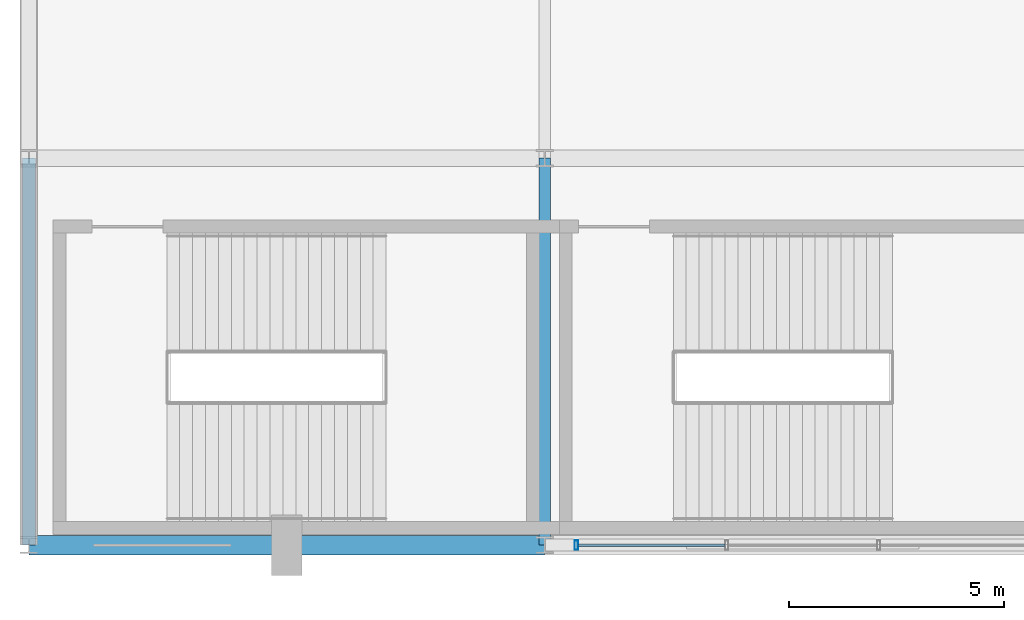
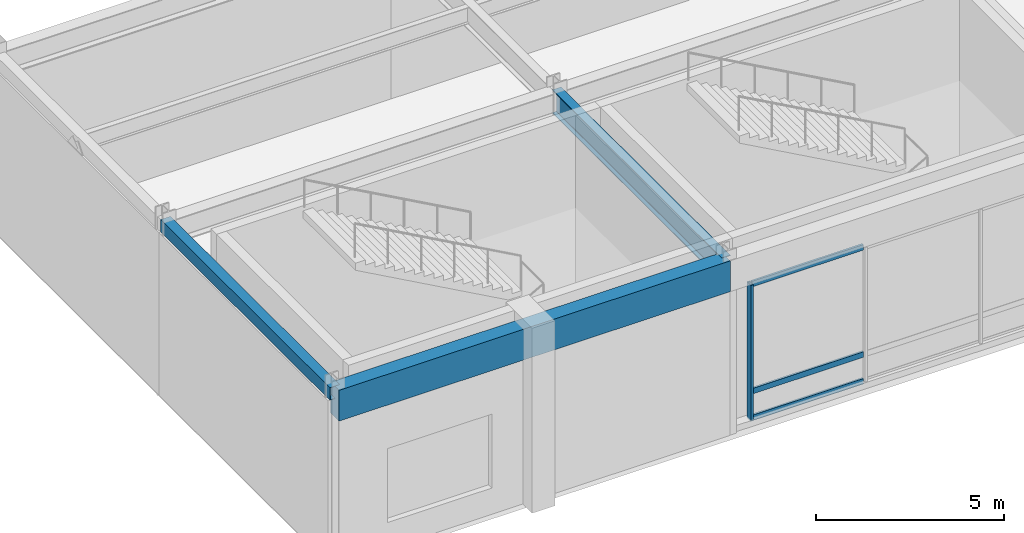
# One storey, part 14 of 105: 4 members, 3 beams, 1 element without a shape of its own.
"""IFC4 building model written with IfcOpenShell, lengths in metres."""

from ifc_helpers import new_model, si_unit, direction, frame, origin, origin_2d, place, context, subcontext, project, spatial, rectangle, hollow_rectangle, i_section, extrude, material, material_profile, profile_set, type_object, element, aggregate, save


model = new_model("IFC4")

# Units and contexts
model_context = context("Model", 3, precision=1e-05, world=origin(), true_north=direction((0.0, 1.0)))
body_context = subcontext(model_context, "Body", "Model", "MODEL_VIEW")
ifc_project = project(units=[si_unit("LENGTHUNIT", "METRE"), si_unit("AREAUNIT", "SQUARE_METRE"), si_unit("VOLUMEUNIT", "CUBIC_METRE"), si_unit("PLANEANGLEUNIT", "RADIAN"), si_unit("MASSUNIT", "GRAM", prefix="KILO")], contexts=[model_context])

# Site, building, storey
site_placement = place(None, origin())
site = spatial("IfcSite", under=ifc_project, at=site_placement, CompositionType="ELEMENT")
building_placement = place(site_placement, origin())
building = spatial("IfcBuilding", under=site, at=building_placement, Name="Kaldorvane Square Convention Centre", CompositionType="ELEMENT")
storey_placement = place(building_placement, frame((0.0, 0.0, 6.0)))
storey = spatial("IfcBuildingStorey", under=building, at=storey_placement, Name="L01", CompositionType="ELEMENT", Elevation=6.0)

# Beams
ifc_material_1 = material(Name="Steel ASTM A992 Gr. 50", Category="steel")
ifc_material_profile_1 = material_profile(ifc_material_1, i_section(OverallWidth=0.2666015625, OverallDepth=0.762298583984375, WebThickness=0.014404296875, FlangeThickness=0.0216064453125, FilletRadius=0.0164947509765625, at=origin_2d()), Name="W30X116")
ifc_profile_set_1 = profile_set([ifc_material_profile_1], Name="Steel ASTM A992 Gr. 50")
beam_type_1 = type_object("IfcBeamType", Name="BM-GR-W30X116", PredefinedType="BEAM", material=ifc_profile_set_1)
beam_1_placement = place(storey_placement, frame((12.0, 0.0, 5.2949066162109375), z_axis=(0.0, 1.0, 0.0), x_axis=(-1.0, 0.0, 0.0)))
element("IfcBeam", 1, at=beam_1_placement, inside=storey, type_object=beam_type_1, Name="Transverse Girder (L01)", PredefinedType="BEAM", context=body_context, shape_type="SweptSolid", body=[
    extrude(i_section(OverallWidth=0.2666015625, OverallDepth=0.762298583984375, WebThickness=0.014404296875, FlangeThickness=0.0216064453125, FilletRadius=0.0164947509765625, at=origin_2d()), origin(), (0.0, 0.0, 1.0), 9.0),
])
ifc_material_2 = material(Name="Steel ASTM A500 Gr. C", Category="steel")
ifc_material_profile_2 = material_profile(ifc_material_2, hollow_rectangle(XDim=0.3047943115234375, YDim=0.406402587890625, WallThickness=0.0117950439453125, at=origin_2d()), Name="HSS16X12X1/2")
ifc_profile_set_2 = profile_set([ifc_material_profile_2], Name="Steel ASTM A500 Gr. C")
beam_type_2 = type_object("IfcBeamType", Name="BM-SP-HSS16", PredefinedType="SPANDREL", material=ifc_profile_set_2)
beam_2_placement = place(storey_placement, frame((0.0, 0.0, 5.4727935791015625), z_axis=(0.0, 1.0, 0.0), x_axis=(-1.0, 0.0, 0.0)))
element("IfcBeam", 2, at=beam_2_placement, inside=storey, type_object=beam_type_2, Name="End Spandrel (L01)", PredefinedType="SPANDREL", context=body_context, shape_type="SweptSolid", body=[
    extrude(hollow_rectangle(XDim=0.3047943115234375, YDim=0.406402587890625, WallThickness=0.0117950439453125, at=origin_2d()), origin(), (0.0, 0.0, 1.0), 9.0),
])
ifc_material_3 = material(Name="Concrete f'c = 42 MPa (Normalweight)", Category="concrete")
ifc_material_profile_3 = material_profile(ifc_material_3, rectangle(XDim=0.4499969482421875, YDim=1.0, at=origin_2d()), Name="RCSP1000X450")
ifc_profile_set_3 = profile_set([ifc_material_profile_3], Name="Concrete f'c = 42 MPa (Normalweight)")
beam_type_3 = type_object("IfcBeamType", Name="BM-SP-RC1000", PredefinedType="SPANDREL", material=ifc_profile_set_3)
beam_3_placement = place(storey_placement, frame((0.0, 0.0, 5.175994873046875), z_axis=(1.0, 0.0, 0.0), x_axis=(0.0, 1.0, 0.0)))
element("IfcBeam", 3, at=beam_3_placement, inside=storey, type_object=beam_type_3, Name="Perimeter Spandrel (L01)", PredefinedType="SPANDREL", context=body_context, shape_type="SweptSolid", body=[
    extrude(rectangle(XDim=0.4499969482421875, YDim=1.0, at=origin_2d()), origin(), (0.0, 0.0, 1.0), 12.0),
])

# Curtain wall, members
ifc_material_4 = material(Name="Anodized Aluminum and Low-E Insulated Glazing", Category="aluminium")
curtain_wall_type = type_object("IfcCurtainWallType", Name="CW-UNI-P60-12", PredefinedType="USERDEFINED", material=ifc_material_4)
curtain_wall_placement = place(storey_placement, origin())
curtain_wall = element("IfcCurtainWall", 4, at=curtain_wall_placement, inside=storey, type_object=curtain_wall_type, Name="Curtain Wall CW-01 (L01)", ObjectType="UNITISED GLAZING", PredefinedType="USERDEFINED")
ifc_material_profile_4 = material_profile(ifc_material_4, hollow_rectangle(XDim=0.0749969482421875, YDim=0.220001220703125, WallThickness=0.003997802734375, at=origin_2d()), Name="CWM-220X75")
ifc_profile_set_4 = profile_set([ifc_material_profile_4], Name="Anodized Aluminum and Low-E Insulated Glazing")
member_type_1 = type_object("IfcMemberType", Name="CW-MUL-220", PredefinedType="MULLION", material=ifc_profile_set_4)
member_1_placement = place(storey_placement, frame((12.737503051757812, 0.0, 0.149993896484375), z_axis=(0.0, 0.0, 1.0), x_axis=(1.0, 0.0, 0.0)))
member_1 = element("IfcMember", 5, at=member_1_placement, type_object=member_type_1, Name="CW-01 mullion 1", PredefinedType="MULLION", context=body_context, shape_type="SweptSolid", body=[
    extrude(hollow_rectangle(XDim=0.0749969482421875, YDim=0.220001220703125, WallThickness=0.003997802734375, at=origin_2d()), origin(), (0.0, 0.0, 1.0), 4.410003662109375),
])
ifc_material_profile_5 = material_profile(ifc_material_4, hollow_rectangle(XDim=0.06500244140625, YDim=0.17999267578125, WallThickness=0.0034942626953125, at=origin_2d()), Name="CWT-180X65")
ifc_profile_set_5 = profile_set([ifc_material_profile_5], Name="Anodized Aluminum and Low-E Insulated Glazing")
member_type_2 = type_object("IfcMemberType", Name="CW-TRN-180", PredefinedType="USERDEFINED", material=ifc_profile_set_5)
member_2_placement = place(storey_placement, frame((12.774993896484375, 0.0, 0.1824951171875), z_axis=(1.0, 0.0, 0.0), x_axis=(0.0, 1.0, 0.0)))
member_2 = element("IfcMember", 6, at=member_2_placement, type_object=member_type_2, Name="CW-01 transom 1.1", ObjectType="TRANSOM", PredefinedType="USERDEFINED", context=body_context, shape_type="SweptSolid", body=[
    extrude(hollow_rectangle(XDim=0.06500244140625, YDim=0.17999267578125, WallThickness=0.0034942626953125, at=origin_2d()), origin(), (0.0, 0.0, 1.0), 3.42083740234375),
])
member_3_placement = place(storey_placement, frame((12.774993896484375, 0.0, 1.0500030517578125), z_axis=(1.0, 0.0, 0.0), x_axis=(0.0, 1.0, 0.0)))
member_3 = element("IfcMember", 7, at=member_3_placement, type_object=member_type_2, Name="CW-01 transom 1.2", ObjectType="TRANSOM", PredefinedType="USERDEFINED", context=body_context, shape_type="SweptSolid", body=[
    extrude(hollow_rectangle(XDim=0.06500244140625, YDim=0.17999267578125, WallThickness=0.0034942626953125, at=origin_2d()), origin(), (0.0, 0.0, 1.0), 3.42083740234375),
])
member_4_placement = place(storey_placement, frame((12.774993896484375, 0.0, 4.527496337890625), z_axis=(1.0, 0.0, 0.0), x_axis=(0.0, 1.0, 0.0)))
member_4 = element("IfcMember", 8, at=member_4_placement, type_object=member_type_2, Name="CW-01 transom 1.3", ObjectType="TRANSOM", PredefinedType="USERDEFINED", context=body_context, shape_type="SweptSolid", body=[
    extrude(hollow_rectangle(XDim=0.06500244140625, YDim=0.17999267578125, WallThickness=0.0034942626953125, at=origin_2d()), origin(), (0.0, 0.0, 1.0), 3.42083740234375),
])
aggregate(curtain_wall, [member_1, member_2, member_3, member_4])

save(model, "model.ifc")
